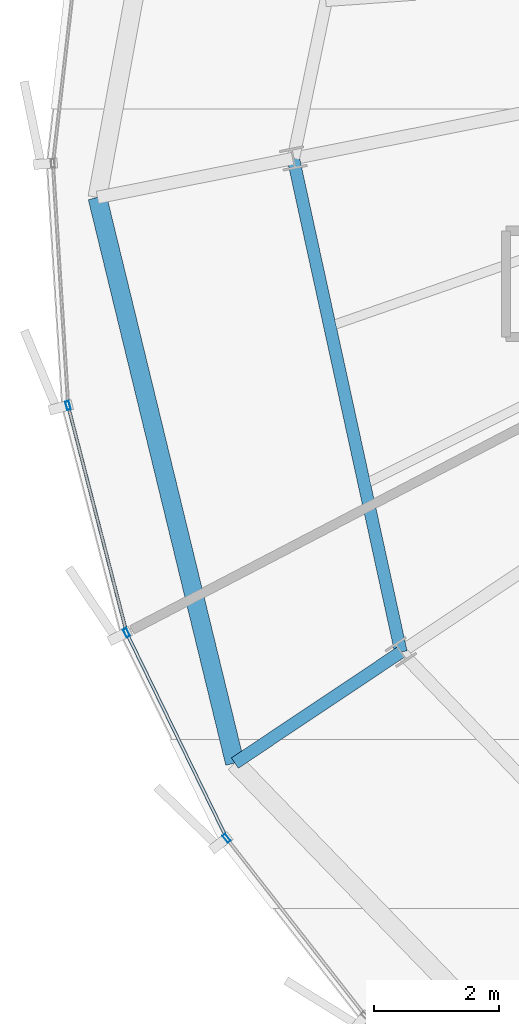
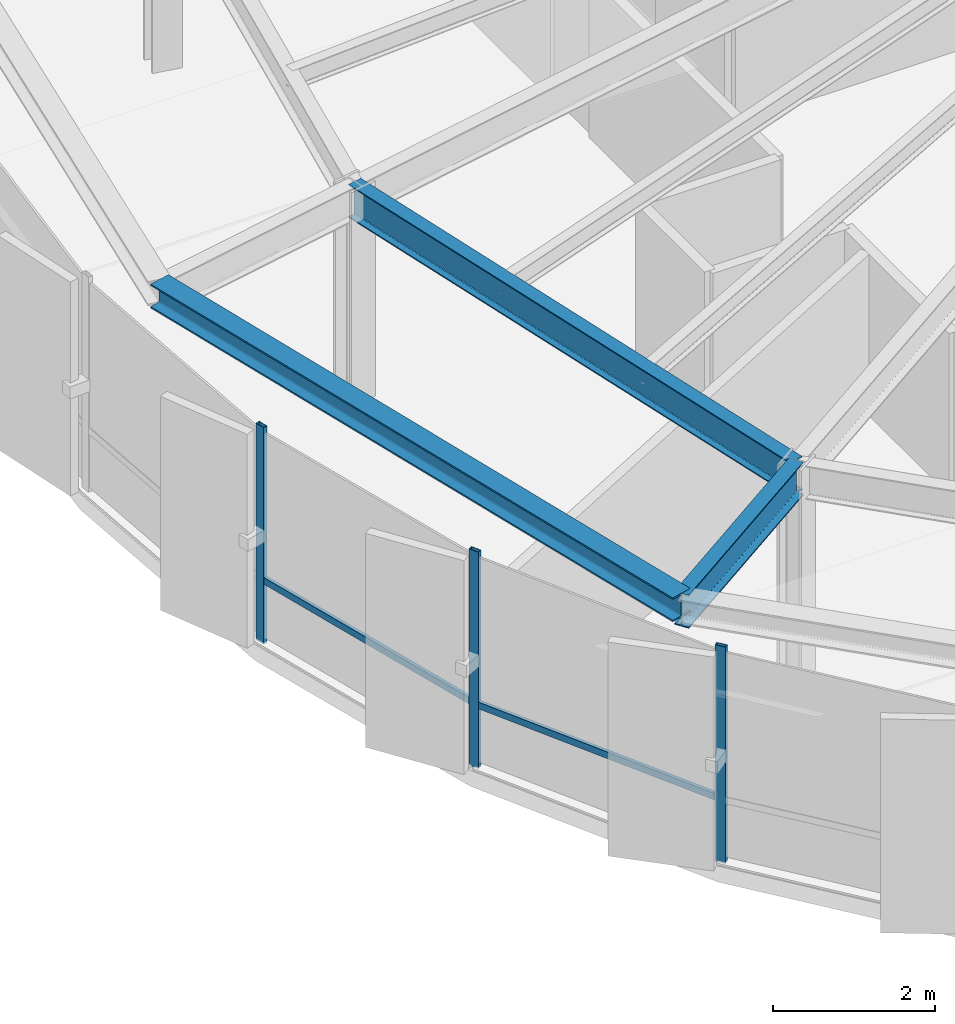
# One storey, part 4 of 33: 5 members, 3 beams, 1 element without a shape of its own.
"""IFC4 building model written with IfcOpenShell, lengths in metres."""

import ifcopenshell
import ifcopenshell.guid

model = None  # the IFC model being written
_history = None  # IfcOwnerHistory: only IFC2X3 demands one
_inside = {}  # id of a spatial element -> (the spatial element, [elements in it])
_under = {}  # id of a project, library or spatial element -> (it, [spatial elements below it])
_declared = {}  # id of a project -> (the project, [libraries it declares])
_typed = {}  # id of a type object -> (the type object, [elements of that type])
_made_of = {}  # id of a material, layer set ... -> (it, [elements and type objects made of it])


def new_model(schema):
    """Start an empty IFC model of exactly this schema.

    Asked for "IFC4X3", IfcOpenShell would pick the latest addendum, in which some entities
    have other attributes; the version numbers below select the first issue.
    IFC2X3 requires an IfcOwnerHistory on every rooted entity: one is made here for all.
    """
    global model, _history
    if schema == "IFC4X3":
        model = ifcopenshell.file(schema_version=(4, 3, 0, 0))
    else:
        model = ifcopenshell.file(schema=schema)
    _inside.clear()
    _under.clear()
    _declared.clear()
    _typed.clear()
    _made_of.clear()
    _history = None
    if model.schema == "IFC2X3":
        org = make("IfcOrganization", Name="unknown")
        user = make(
            "IfcPersonAndOrganization",
            ThePerson=make("IfcPerson", FamilyName="unknown"),
            TheOrganization=org,
        )
        app = make(
            "IfcApplication",
            ApplicationDeveloper=org,
            Version="unknown",
            ApplicationFullName="unknown",
            ApplicationIdentifier="unknown",
        )
        _history = make(
            "IfcOwnerHistory",
            OwningUser=user,
            OwningApplication=app,
            ChangeAction="ADDED",
            CreationDate=0,
        )
    return model


def make(cls, **values):
    """One entity of the class cls with the attributes given. An attribute that is None is left unset."""
    return model.create_entity(
        cls, **{name: value for name, value in values.items() if value is not None}
    )


def rooted(cls, **values):
    """An entity with a GlobalId (a new one), such as an element, a storey or a relation."""
    return make(cls, GlobalId=ifcopenshell.guid.new(), OwnerHistory=_history, **values)


def si_unit(unit_type, name, prefix=None):
    """IfcSIUnit, for example si_unit("LENGTHUNIT", "METRE", prefix="MILLI")."""
    return make("IfcSIUnit", UnitType=unit_type, Prefix=prefix, Name=name)


def assignment(units):
    """IfcUnitAssignment: the units of a project."""
    return None if units is None else make("IfcUnitAssignment", Units=units)


def point(xyz):
    """IfcCartesianPoint."""
    return None if xyz is None else make("IfcCartesianPoint", Coordinates=xyz)


def direction(xyz):
    """IfcDirection."""
    return None if xyz is None else make("IfcDirection", DirectionRatios=xyz)


def frame(location, z_axis=None, x_axis=None):
    """IfcAxis2Placement3D, a coordinate frame: its origin and axes. An axis left out is left unset."""
    return make(
        "IfcAxis2Placement3D",
        Location=point(location),
        Axis=direction(z_axis),
        RefDirection=direction(x_axis),
    )


def frame_2d(location, x_axis=None):
    """IfcAxis2Placement2D, a coordinate frame in the plane: its origin and x axis."""
    return make(
        "IfcAxis2Placement2D", Location=point(location), RefDirection=direction(x_axis)
    )


def origin():
    """The frame at (0, 0, 0) with its axes left unset."""
    return frame((0.0, 0.0, 0.0))


def origin_2d():
    """The frame at (0, 0) in the plane with its x axis left unset."""
    return frame_2d((0.0, 0.0))


def place(relative_to, where):
    """IfcLocalPlacement: puts the frame where relative to a parent placement (None: the world)."""
    return make(
        "IfcLocalPlacement", PlacementRelTo=relative_to, RelativePlacement=where
    )


def context(
    kind, dimensions, precision=None, world=None, true_north=None, identifier=None
):
    """IfcGeometricRepresentationContext, for example the 3D "Model" context."""
    return make(
        "IfcGeometricRepresentationContext",
        ContextIdentifier=identifier,
        ContextType=kind,
        CoordinateSpaceDimension=dimensions,
        Precision=precision,
        WorldCoordinateSystem=world,
        TrueNorth=true_north,
    )


def subcontext(parent, identifier, kind, view, scale=None):
    """IfcGeometricRepresentationSubContext, for example "Body" below "Model"."""
    return make(
        "IfcGeometricRepresentationSubContext",
        ContextIdentifier=identifier,
        ContextType=kind,
        ParentContext=parent,
        TargetScale=scale,
        TargetView=view,
    )


def project(units=None, contexts=None):
    """IfcProject with its units and contexts."""
    return rooted(
        "IfcProject",
        Name="project",
        RepresentationContexts=contexts,
        UnitsInContext=assignment(units),
    )


def spatial(cls, under=None, at=None, **own):
    """A site, building, storey or space (cls), placed at a placement, below another one or the project."""
    s = rooted(cls, ObjectPlacement=at, **own)
    if under is not None:
        _under.setdefault(under.id(), (under, []))[1].append(s)
    return s


def profile(cls, at=None, kind="AREA", **sizes):
    """A parametric profile (cls). Its sizes go by their IFC names, for example OverallWidth=200.0."""
    return make(cls, ProfileType=kind, Position=at, **sizes)


def hollow_rectangle(**sizes):
    """IfcRectangleHollowProfileDef."""
    return profile("IfcRectangleHollowProfileDef", **sizes)


def i_section(**sizes):
    """IfcIShapeProfileDef."""
    return profile("IfcIShapeProfileDef", **sizes)


def extrude(swept, where, along, depth):
    """IfcExtrudedAreaSolid: the profile swept, set in the frame where, extruded along a direction by depth."""
    return make(
        "IfcExtrudedAreaSolid",
        SweptArea=swept,
        Position=where,
        ExtrudedDirection=direction(along),
        Depth=depth,
    )


def shape(context_of_items, identifier, shape_type, items):
    """IfcShapeRepresentation: the items that make up one representation, for example the "Body"."""
    return make(
        "IfcShapeRepresentation",
        ContextOfItems=context_of_items,
        RepresentationIdentifier=identifier,
        RepresentationType=shape_type,
        Items=items,
    )


def source(mapping_origin, context_of_items, identifier, shape_type, items):
    """IfcRepresentationMap: a shape defined once, which mapped items show again and again."""
    return make(
        "IfcRepresentationMap",
        MappingOrigin=mapping_origin,
        MappedRepresentation=shape(context_of_items, identifier, shape_type, items),
    )


def transform(
    local_origin,
    x_axis=None,
    y_axis=None,
    z_axis=None,
    scale=None,
    scale2=None,
    scale3=None,
    uniform=True,
):
    """IfcCartesianTransformationOperator3D, or its non-uniform kind. x_axis, y_axis, z_axis: its Axis1, 2, 3."""
    if uniform:
        return make(
            "IfcCartesianTransformationOperator3D",
            Axis1=direction(x_axis),
            Axis2=direction(y_axis),
            LocalOrigin=point(local_origin),
            Scale=scale,
            Axis3=direction(z_axis),
        )
    return make(
        "IfcCartesianTransformationOperator3DnonUniform",
        Axis1=direction(x_axis),
        Axis2=direction(y_axis),
        LocalOrigin=point(local_origin),
        Scale=scale,
        Axis3=direction(z_axis),
        Scale2=scale2,
        Scale3=scale3,
    )


def mapped(mapping_source, mapping_target):
    """IfcMappedItem: shows the shape of a source again, moved by a transform."""
    return make(
        "IfcMappedItem", MappingSource=mapping_source, MappingTarget=mapping_target
    )


def material(Name=None, Category=None):
    """IfcMaterial."""
    return make("IfcMaterial", Name=Name, Category=Category)


def layer(
    of_material, thickness, ventilated=None, Name=None, Category=None, Priority=None
):
    """IfcMaterialLayer: one layer of a wall or slab, of a material (None: an air gap)."""
    return make(
        "IfcMaterialLayer",
        Material=of_material,
        LayerThickness=thickness,
        IsVentilated=ventilated,
        Name=Name,
        Category=Category,
        Priority=Priority,
    )


def layer_set(layers, Name=None):
    """IfcMaterialLayerSet."""
    return make("IfcMaterialLayerSet", MaterialLayers=layers, LayerSetName=Name)


def material_profile(
    of_material, cross_section, Name=None, Category=None, Priority=None
):
    """IfcMaterialProfile: a cross section and its material."""
    return make(
        "IfcMaterialProfile",
        Name=Name,
        Material=of_material,
        Profile=cross_section,
        Priority=Priority,
        Category=Category,
    )


def profile_set(profiles, Name=None, composite=None):
    """IfcMaterialProfileSet."""
    return make(
        "IfcMaterialProfileSet",
        Name=Name,
        MaterialProfiles=profiles,
        CompositeProfile=composite,
    )


def made_of(thing, what):
    """Note that an element or type object is made of a material, layer set ...; save() writes the relation."""
    if what is not None:
        _made_of.setdefault(what.id(), (what, []))[1].append(thing)
    return thing


def type_object(cls, material=None, **own):
    """A type object (cls), such as IfcWallType, which elements share."""
    return made_of(rooted(cls, **own), material)


def element(
    cls,
    number,
    at=None,
    inside=None,
    cuts=None,
    type_object=None,
    material=None,
    context=None,
    identifier="Body",
    shape_type=None,
    held_by="IfcProductDefinitionShape",
    body=None,
    shapes=None,
    **own,
):
    """One element of the class cls, such as IfcWall. Its Tag is "e" and its number.

    at: its placement. inside: the storey or other place that contains it. cuts: it is an
    opening in that element (IfcRelVoidsElement). A single representation is given by context,
    identifier, shape_type and body (its items); several are given by shapes. held_by: the class
    of the entity that holds the representations. save() writes the other relations.
    """
    e = rooted(cls, Tag="e%d" % number, ObjectPlacement=at, **own)
    if body is not None:
        shapes = [shape(context, identifier, shape_type, body)]
    if shapes is not None:
        e.Representation = make(held_by, Representations=shapes)
    if inside is not None:
        _inside.setdefault(inside.id(), (inside, []))[1].append(e)
    if cuts is not None:
        rooted(
            "IfcRelVoidsElement", RelatingBuildingElement=cuts, RelatedOpeningElement=e
        )
    if type_object is not None:
        _typed.setdefault(type_object.id(), (type_object, []))[1].append(e)
    return made_of(e, material)


def aggregate(whole, parts):
    """IfcRelAggregates: a whole, such as a stair, and the parts it consists of."""
    return rooted("IfcRelAggregates", RelatingObject=whole, RelatedObjects=parts)


def save(model, path):
    """Write the relations noted so far, then the file.

    IfcRelAggregates (storeys below a building ...), IfcRelContainedInSpatialStructure (elements
    in a storey), IfcRelDefinesByType, IfcRelAssociatesMaterial and IfcRelDeclares: one each for
    every whole, place, type object, material and project.
    """
    for whole, parts in _under.values():
        aggregate(whole, parts)
    for where, things in _inside.values():
        rooted(
            "IfcRelContainedInSpatialStructure",
            RelatedElements=things,
            RelatingStructure=where,
        )
    for kind, things in _typed.values():
        rooted("IfcRelDefinesByType", RelatedObjects=things, RelatingType=kind)
    for what, things in _made_of.values():
        rooted("IfcRelAssociatesMaterial", RelatedObjects=things, RelatingMaterial=what)
    for by, libraries in _declared.values():
        rooted("IfcRelDeclares", RelatingContext=by, RelatedDefinitions=libraries)
    model.write(path)


model = new_model("IFC4")

# Units and contexts
model_context = context("Model", 3, precision=1e-05, world=origin(), true_north=direction((0.0, 1.0)))
body_context = subcontext(model_context, "Body", "Model", "MODEL_VIEW")
ifc_project = project(units=[si_unit("LENGTHUNIT", "METRE"), si_unit("AREAUNIT", "SQUARE_METRE"), si_unit("VOLUMEUNIT", "CUBIC_METRE"), si_unit("PLANEANGLEUNIT", "RADIAN"), si_unit("MASSUNIT", "GRAM", prefix="KILO"), si_unit("THERMODYNAMICTEMPERATUREUNIT", "KELVIN")], contexts=[model_context])

# Site, building, storey
site_placement = place(None, origin())
site = spatial("IfcSite", under=ifc_project, at=site_placement, CompositionType="ELEMENT")
building_placement = place(site_placement, origin())
building = spatial("IfcBuilding", under=site, at=building_placement, Name="Kethvar Cultural Tower", CompositionType="ELEMENT")
storey_placement = place(building_placement, frame((0.0, 0.0, 211.39990234375)))
storey = spatial("IfcBuildingStorey", under=building, at=storey_placement, Name="L55", CompositionType="ELEMENT", Elevation=211.39990234375)

# Beams
ifc_material_1 = material(Name="Steel S355J2", Category="steel")
ifc_material_profile_1 = material_profile(ifc_material_1, i_section(OverallWidth=0.199951171875, OverallDepth=0.5, WebThickness=0.01025390625, FlangeThickness=0.01611328125, FilletRadius=0.02099609375, at=origin_2d()), Name="Steel S355J2 — IPE500")
ifc_profile_set_1 = profile_set([ifc_material_profile_1], Name="Steel S355J2 — IPE500")
beam_type_1 = type_object("IfcBeamType", Name="BM-IPE500", PredefinedType="BEAM", material=ifc_profile_set_1)
shared_shape_1 = source(origin(), body_context, "Body", "SweptSolid", [
    extrude(i_section(OverallWidth=0.199951171875, OverallDepth=0.5, WebThickness=0.01025390625, FlangeThickness=0.01611328125, FilletRadius=0.02099609375, at=origin_2d()), origin(), (0.0, 0.0, 1.0), 3.199951171875),
])
beam_1_placement = place(storey_placement, frame((29.217529296875, 16.0517578125, 3.008056640625), z_axis=(-0.831462943996, -0.555580212716, 0.0), x_axis=(0.555580212716, -0.831462943996, 0.0)))
element("IfcBeam", 1, at=beam_1_placement, inside=storey, type_object=beam_type_1, Name="L55 Perimeter Cantilever Beam RC-10", PredefinedType="BEAM", context=body_context, shape_type="MappedRepresentation", body=[
    mapped(shared_shape_1, transform((0.0, 0.0, 0.0), scale=1.0)),
])
shared_shape_2 = source(origin(), body_context, "Body", "SweptSolid", [
    extrude(i_section(OverallWidth=0.199951171875, OverallDepth=0.5, WebThickness=0.01025390625, FlangeThickness=0.01611328125, FilletRadius=0.02099609375, at=origin_2d()), origin(), (0.0, 0.0, 1.0), 8.09375),
])
beam_2_placement = place(storey_placement, frame((27.492919921875, 23.959716796875, 3.008056640625), z_axis=(0.213077030298, -0.977035403227, 0.0), x_axis=(0.977035403227, 0.213077030298, 0.0)))
element("IfcBeam", 2, at=beam_2_placement, inside=storey, type_object=beam_type_1, Name="L55 Column Ring Tie Beam CR-09", PredefinedType="BEAM", context=body_context, shape_type="MappedRepresentation", body=[
    mapped(shared_shape_2, transform((0.0, 0.0, 0.0), scale=1.0)),
])
ifc_material_profile_2 = material_profile(ifc_material_1, i_section(OverallWidth=0.300048828125, OverallDepth=0.360107421875, WebThickness=0.012451171875, FlangeThickness=0.0224609375, FilletRadius=0.027099609375, at=origin_2d()), Name="Steel S355J2 — HEB360")
ifc_profile_set_2 = profile_set([ifc_material_profile_2], Name="Steel S355J2 — HEB360")
beam_type_2 = type_object("IfcBeamType", Name="BM-SP360", PredefinedType="SPANDREL", material=ifc_profile_set_2)
shared_shape_3 = source(origin(), body_context, "Body", "SweptSolid", [
    extrude(i_section(OverallWidth=0.300048828125, OverallDepth=0.360107421875, WebThickness=0.012451171875, FlangeThickness=0.0224609375, FilletRadius=0.027099609375, at=origin_2d()), origin(), (0.0, 0.0, 1.0), 9.3251953125),
])
beam_3_placement = place(storey_placement, frame((24.3544921875, 23.335205078125, 3.078125), z_axis=(0.236179213868, -0.97170951366, 0.0), x_axis=(0.97170951366, 0.236179213868, 0.0)))
element("IfcBeam", 3, at=beam_3_placement, inside=storey, type_object=beam_type_2, Name="L55 Perimeter Spandrel Beam SP-09", PredefinedType="SPANDREL", context=body_context, shape_type="MappedRepresentation", body=[
    mapped(shared_shape_3, transform((0.0, 0.0, 0.0), scale=1.0)),
])

# Curtain wall, members
ifc_material_2 = material(Name="Aluminium 6063-T6", Category="aluminium")
ifc_layer = layer(ifc_material_2, 0.179931640625, Name="Aluminium 6063-T6", Category="aluminium")
ifc_layer_set = layer_set([ifc_layer], Name="Aluminium 6063-T6 (180 mm)")
curtain_wall_type = type_object("IfcCurtainWallType", Name="CW-SYS-04-Z34", PredefinedType="NOTDEFINED", material=ifc_layer_set)
curtain_wall_placement = place(storey_placement, origin())
curtain_wall = element("IfcCurtainWall", 4, at=curtain_wall_placement, inside=storey, type_object=curtain_wall_type, Name="L55 Curtain Wall Run 03", PredefinedType="NOTDEFINED")
ifc_material_profile_3 = material_profile(ifc_material_2, hollow_rectangle(XDim=0.06005859375, YDim=0.139892578125, WallThickness=0.0048828125, at=origin_2d()), Name="Aluminium 6063-T6 — RHS140x60x5")
ifc_profile_set_3 = profile_set([ifc_material_profile_3], Name="Aluminium 6063-T6 — RHS140x60x5")
member_type_1 = type_object("IfcMemberType", Name="CW-SYS-04-Z34-MUL", PredefinedType="MULLION", material=ifc_profile_set_3)
shared_shape_4 = source(origin(), body_context, "Body", "SweptSolid", [
    extrude(hollow_rectangle(XDim=0.06005859375, YDim=0.139892578125, WallThickness=0.0048828125, at=origin_2d()), origin(), (0.0, 0.0, 1.0), 3.260009765625),
])
member_1_placement = place(storey_placement, frame((23.8837890625, 20.00244140625, 0.0), z_axis=(0.0, 0.0, 1.0), x_axis=(0.968287327949, 0.249839249385, 0.0)))
member_1 = element("IfcMember", 5, at=member_1_placement, type_object=member_type_1, Name="CW-L55-R03 Mullion 3", PredefinedType="MULLION", context=body_context, shape_type="MappedRepresentation", body=[
    mapped(shared_shape_4, transform((0.0, 0.0, 0.0), scale=1.0)),
])
member_2_placement = place(storey_placement, frame((24.82080078125, 16.36181640625, 0.0), z_axis=(0.0, 0.0, 1.0), x_axis=(0.898794046299, 0.438371146789, 0.0)))
member_2 = element("IfcMember", 6, at=member_2_placement, type_object=member_type_1, Name="CW-L55-R03 Mullion 4", PredefinedType="MULLION", context=body_context, shape_type="MappedRepresentation", body=[
    mapped(shared_shape_4, transform((0.0, 0.0, 0.0), scale=1.0)),
])
member_3_placement = place(storey_placement, frame((26.42431640625, 13.069091796875, 0.0), z_axis=(0.0, 0.0, 1.0), x_axis=(0.787924783367, 0.615771496382, 0.0)))
member_3 = element("IfcMember", 7, at=member_3_placement, type_object=member_type_1, Name="CW-L55-R03 Mullion 5", PredefinedType="MULLION", context=body_context, shape_type="MappedRepresentation", body=[
    mapped(shared_shape_4, transform((0.0, 0.0, 0.0), scale=1.0)),
])
ifc_material_profile_4 = material_profile(ifc_material_2, hollow_rectangle(XDim=0.050048828125, YDim=0.10009765625, WallThickness=0.00390625, at=origin_2d()), Name="Aluminium 6063-T6 — RHS100x50x4")
ifc_profile_set_4 = profile_set([ifc_material_profile_4], Name="Aluminium 6063-T6 — RHS100x50x4")
member_type_2 = type_object("IfcMemberType", Name="CW-SYS-04-Z34-TRN", PredefinedType="USERDEFINED", material=ifc_profile_set_4)
shared_shape_5 = source(origin(), body_context, "Body", "SweptSolid", [
    extrude(hollow_rectangle(XDim=0.050048828125, YDim=0.10009765625, WallThickness=0.00390625, at=origin_2d()), origin(), (0.0, 0.0, 1.0), 3.695068359375),
])
member_4_placement = place(storey_placement, frame((23.89453125, 19.960693359375, 0.9501953125), z_axis=(0.24982006817, -0.968292276918, 0.0), x_axis=(0.968292276918, 0.24982006817, 0.0)))
member_4 = element("IfcMember", 8, at=member_4_placement, type_object=member_type_2, Name="CW-L55-R03 Transom 3", ObjectType="TRANSOM", PredefinedType="USERDEFINED", context=body_context, shape_type="MappedRepresentation", body=[
    mapped(shared_shape_5, transform((0.0, 0.0, 0.0), scale=1.0)),
])
shared_shape_6 = source(origin(), body_context, "Body", "SweptSolid", [
    extrude(hollow_rectangle(XDim=0.050048828125, YDim=0.10009765625, WallThickness=0.00390625, at=origin_2d()), origin(), (0.0, 0.0, 1.0), 3.598876953125),
])
member_5_placement = place(storey_placement, frame((24.83984375, 16.322998046875, 0.9501953125), z_axis=(0.438372842041, -0.898793219468, 0.0), x_axis=(0.898793219468, 0.438372842041, 0.0)))
member_5 = element("IfcMember", 9, at=member_5_placement, type_object=member_type_2, Name="CW-L55-R03 Transom 4", ObjectType="TRANSOM", PredefinedType="USERDEFINED", context=body_context, shape_type="MappedRepresentation", body=[
    mapped(shared_shape_6, transform((0.0, 0.0, 0.0), scale=1.0)),
])
aggregate(curtain_wall, [member_1, member_2, member_3, member_4, member_5])

save(model, "model.ifc")
